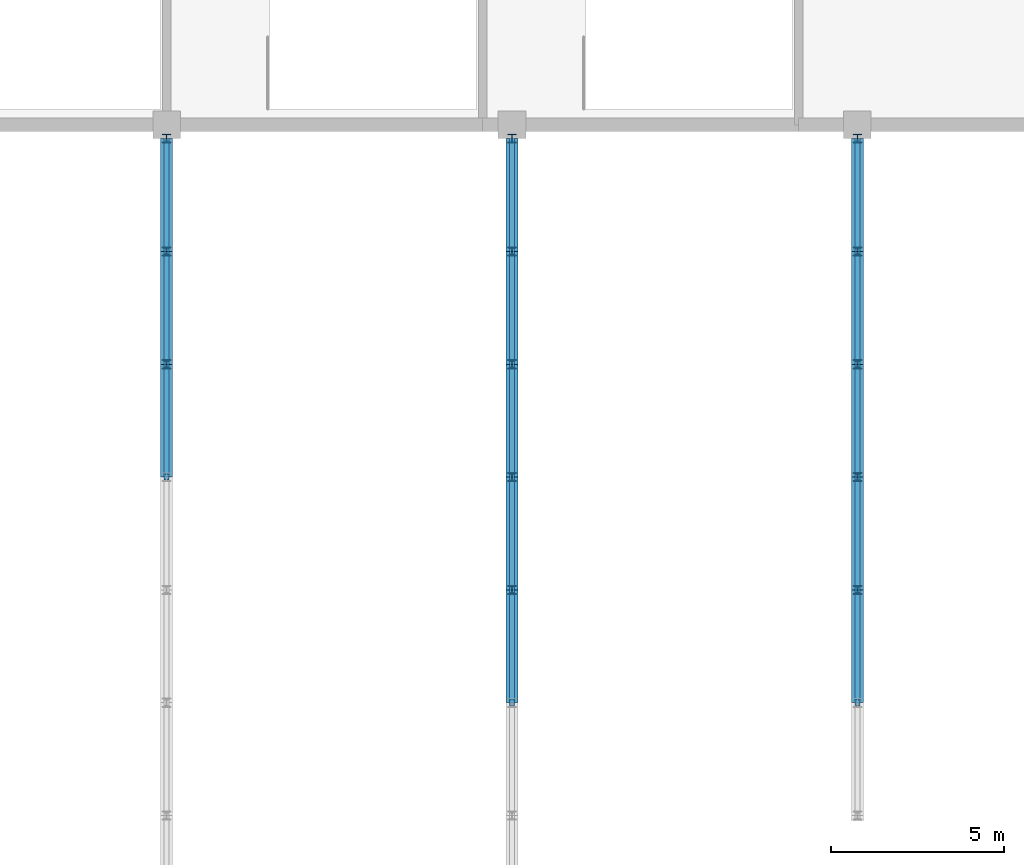
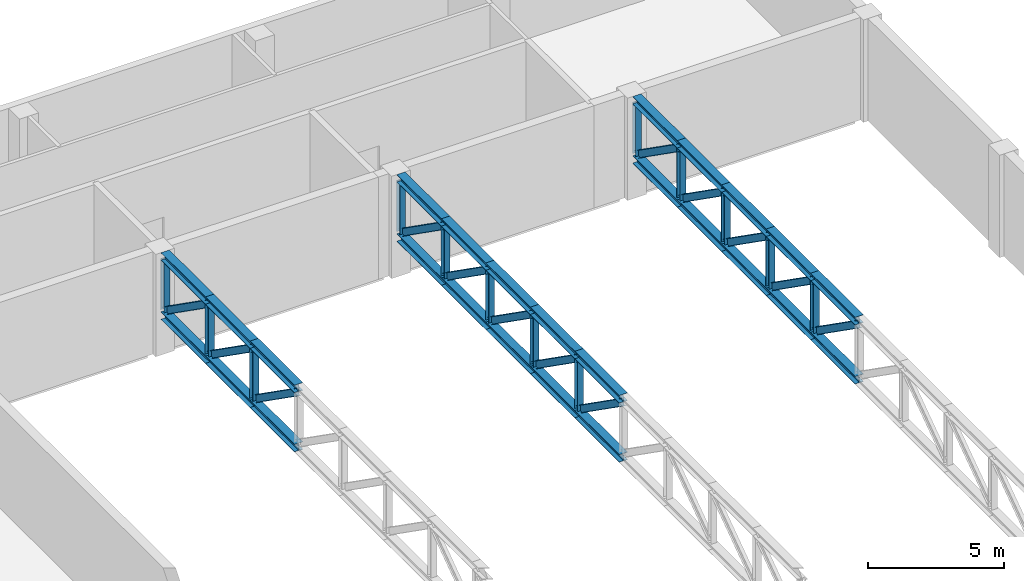
# One storey, part 6 of 36: 52 members.
"""IFC4 building model written with IfcOpenShell, lengths in metres."""

from ifc_helpers import new_model, si_unit, direction, frame, origin, origin_2d, place, context, subcontext, project, spatial, i_section, extrude, material, material_profile, profile_set, type_object, element, save


model = new_model("IFC4")

# Units and contexts
model_context = context("Model", 3, precision=1e-05, world=origin(), true_north=direction((0.0, 1.0)))
body_context = subcontext(model_context, "Body", "Model", "MODEL_VIEW")
ifc_project = project(units=[si_unit("LENGTHUNIT", "METRE"), si_unit("AREAUNIT", "SQUARE_METRE"), si_unit("VOLUMEUNIT", "CUBIC_METRE"), si_unit("PLANEANGLEUNIT", "RADIAN"), si_unit("MASSUNIT", "GRAM", prefix="KILO")], contexts=[model_context])

# Site, building, storey
site_placement = place(None, origin())
site = spatial("IfcSite", under=ifc_project, at=site_placement, CompositionType="ELEMENT")
building_placement = place(site_placement, origin())
building = spatial("IfcBuilding", under=site, at=building_placement, Name="Jabali Bay Hotel Tower and Convention Centre", CompositionType="ELEMENT")
storey_placement = place(building_placement, frame((0.0, 0.0, 20.39990234375)))
storey = spatial("IfcBuildingStorey", under=building, at=storey_placement, Name="L03", CompositionType="ELEMENT", Elevation=20.39990234375)

# Members
ifc_material = material(Name="Steel Q355B", Category="steel")
ifc_material_profile_1 = material_profile(ifc_material, i_section(OverallWidth=0.35009765625, OverallDepth=0.35009765625, WebThickness=0.011962890625, FlangeThickness=0.01904296875, at=origin_2d()), Name="HW350x350x12x19")
ifc_profile_set_1 = profile_set([ifc_material_profile_1], Name="Steel Q355B")
member_type_1 = type_object("IfcMemberType", Name="CC Roof Truss Chord HW350x350x12x19", PredefinedType="CHORD", material=ifc_profile_set_1)
for number, where, z_axis, x_axis, name in (
    (1, (190.699951171875, 89.800048828125, 4.4150390625), (0.0, 1.0, 0.0), (-1.0, 0.0, 0.0), "CC roof truss B1 top chord 10"),
    (2, (190.699951171875, 89.800048828125, 1.76513671875), (0.0, 1.0, 0.0), (-1.0, 0.0, 0.0), "CC roof truss B1 bottom chord 10"),
    (3, (190.699951171875, 93.066650390625, 4.4150390625), (0.0, 1.0, 0.0), (-1.0, 0.0, 0.0), "CC roof truss B1 top chord 11"),
    (4, (190.699951171875, 93.066650390625, 1.76513671875), (0.0, 1.0, 0.0), (-1.0, 0.0, 0.0), "CC roof truss B1 bottom chord 11"),
):
    element("IfcMember", number, at=place(storey_placement, frame(where, z_axis=z_axis, x_axis=x_axis)), inside=storey, type_object=member_type_1, Name=name, PredefinedType="CHORD", context=body_context, shape_type="SweptSolid", body=[
        extrude(i_section(OverallWidth=0.35009765625, OverallDepth=0.35009765625, WebThickness=0.011962890625, FlangeThickness=0.01904296875, at=origin_2d()), origin(), (0.0, 0.0, 1.0), 3.2666015625),
    ])
for number, where, z_axis, x_axis, name in (
    (5, (190.699951171875, 96.333251953125, 4.4150390625), (0.0, 1.0, 0.0), (-1.0, 0.0, 0.0), "CC roof truss B1 top chord 12"),
    (6, (190.699951171875, 96.333251953125, 1.76513671875), (0.0, 1.0, 0.0), (-1.0, 0.0, 0.0), "CC roof truss B1 bottom chord 12"),
    (7, (200.699951171875, 83.2666015625, 4.4150390625), (0.0, 1.0, 0.0), (-1.0, 0.0, 0.0), "CC roof truss B2 top chord 8"),
    (8, (200.699951171875, 83.2666015625, 1.76513671875), (0.0, 1.0, 0.0), (-1.0, 0.0, 0.0), "CC roof truss B2 bottom chord 8"),
):
    element("IfcMember", number, at=place(storey_placement, frame(where, z_axis=z_axis, x_axis=x_axis)), inside=storey, type_object=member_type_1, Name=name, PredefinedType="CHORD", context=body_context, shape_type="SweptSolid", body=[
        extrude(i_section(OverallWidth=0.35009765625, OverallDepth=0.35009765625, WebThickness=0.011962890625, FlangeThickness=0.01904296875, at=origin_2d()), origin(), (0.0, 0.0, 1.0), 3.266845703125),
    ])
for number, where, z_axis, x_axis, name in (
    (9, (200.699951171875, 86.533447265625, 4.4150390625), (0.0, 1.0, 0.0), (-1.0, 0.0, 0.0), "CC roof truss B2 top chord 9"),
    (10, (200.699951171875, 86.533447265625, 1.76513671875), (0.0, 1.0, 0.0), (-1.0, 0.0, 0.0), "CC roof truss B2 bottom chord 9"),
    (11, (200.699951171875, 89.800048828125, 4.4150390625), (0.0, 1.0, 0.0), (-1.0, 0.0, 0.0), "CC roof truss B2 top chord 10"),
    (12, (200.699951171875, 89.800048828125, 1.76513671875), (0.0, 1.0, 0.0), (-1.0, 0.0, 0.0), "CC roof truss B2 bottom chord 10"),
    (13, (200.699951171875, 93.066650390625, 4.4150390625), (0.0, 1.0, 0.0), (-1.0, 0.0, 0.0), "CC roof truss B2 top chord 11"),
    (14, (200.699951171875, 93.066650390625, 1.76513671875), (0.0, 1.0, 0.0), (-1.0, 0.0, 0.0), "CC roof truss B2 bottom chord 11"),
):
    element("IfcMember", number, at=place(storey_placement, frame(where, z_axis=z_axis, x_axis=x_axis)), inside=storey, type_object=member_type_1, Name=name, PredefinedType="CHORD", context=body_context, shape_type="SweptSolid", body=[
        extrude(i_section(OverallWidth=0.35009765625, OverallDepth=0.35009765625, WebThickness=0.011962890625, FlangeThickness=0.01904296875, at=origin_2d()), origin(), (0.0, 0.0, 1.0), 3.2666015625),
    ])
for number, where, z_axis, x_axis, name in (
    (15, (200.699951171875, 96.333251953125, 4.4150390625), (0.0, 1.0, 0.0), (-1.0, 0.0, 0.0), "CC roof truss B2 top chord 12"),
    (16, (200.699951171875, 96.333251953125, 1.76513671875), (0.0, 1.0, 0.0), (-1.0, 0.0, 0.0), "CC roof truss B2 bottom chord 12"),
    (17, (210.699951171875, 83.2666015625, 4.4150390625), (0.0, 1.0, 0.0), (-1.0, 0.0, 0.0), "CC roof truss B3 top chord 8"),
    (18, (210.699951171875, 83.2666015625, 1.76513671875), (0.0, 1.0, 0.0), (-1.0, 0.0, 0.0), "CC roof truss B3 bottom chord 8"),
):
    element("IfcMember", number, at=place(storey_placement, frame(where, z_axis=z_axis, x_axis=x_axis)), inside=storey, type_object=member_type_1, Name=name, PredefinedType="CHORD", context=body_context, shape_type="SweptSolid", body=[
        extrude(i_section(OverallWidth=0.35009765625, OverallDepth=0.35009765625, WebThickness=0.011962890625, FlangeThickness=0.01904296875, at=origin_2d()), origin(), (0.0, 0.0, 1.0), 3.266845703125),
    ])
for number, where, z_axis, x_axis, name in (
    (19, (210.699951171875, 86.533447265625, 4.4150390625), (0.0, 1.0, 0.0), (-1.0, 0.0, 0.0), "CC roof truss B3 top chord 9"),
    (20, (210.699951171875, 86.533447265625, 1.76513671875), (0.0, 1.0, 0.0), (-1.0, 0.0, 0.0), "CC roof truss B3 bottom chord 9"),
    (21, (210.699951171875, 89.800048828125, 4.4150390625), (0.0, 1.0, 0.0), (-1.0, 0.0, 0.0), "CC roof truss B3 top chord 10"),
    (22, (210.699951171875, 89.800048828125, 1.76513671875), (0.0, 1.0, 0.0), (-1.0, 0.0, 0.0), "CC roof truss B3 bottom chord 10"),
    (23, (210.699951171875, 93.066650390625, 4.4150390625), (0.0, 1.0, 0.0), (-1.0, 0.0, 0.0), "CC roof truss B3 top chord 11"),
    (24, (210.699951171875, 93.066650390625, 1.76513671875), (0.0, 1.0, 0.0), (-1.0, 0.0, 0.0), "CC roof truss B3 bottom chord 11"),
):
    element("IfcMember", number, at=place(storey_placement, frame(where, z_axis=z_axis, x_axis=x_axis)), inside=storey, type_object=member_type_1, Name=name, PredefinedType="CHORD", context=body_context, shape_type="SweptSolid", body=[
        extrude(i_section(OverallWidth=0.35009765625, OverallDepth=0.35009765625, WebThickness=0.011962890625, FlangeThickness=0.01904296875, at=origin_2d()), origin(), (0.0, 0.0, 1.0), 3.2666015625),
    ])
for number, where, z_axis, x_axis, name in (
    (25, (210.699951171875, 96.333251953125, 4.4150390625), (0.0, 1.0, 0.0), (-1.0, 0.0, 0.0), "CC roof truss B3 top chord 12"),
    (26, (210.699951171875, 96.333251953125, 1.76513671875), (0.0, 1.0, 0.0), (-1.0, 0.0, 0.0), "CC roof truss B3 bottom chord 12"),
):
    element("IfcMember", number, at=place(storey_placement, frame(where, z_axis=z_axis, x_axis=x_axis)), inside=storey, type_object=member_type_1, Name=name, PredefinedType="CHORD", context=body_context, shape_type="SweptSolid", body=[
        extrude(i_section(OverallWidth=0.35009765625, OverallDepth=0.35009765625, WebThickness=0.011962890625, FlangeThickness=0.01904296875, at=origin_2d()), origin(), (0.0, 0.0, 1.0), 3.266845703125),
    ])
ifc_material_profile_2 = material_profile(ifc_material, i_section(OverallWidth=0.14990234375, OverallDepth=0.300048828125, WebThickness=0.006591796875, FlangeThickness=0.009033203125, at=origin_2d()), Name="HN300x150x6.5x9")
ifc_profile_set_2 = profile_set([ifc_material_profile_2], Name="Steel Q355B")
member_type_2 = type_object("IfcMemberType", Name="CC Roof Truss Diagonal HN300x150x6.5x9", PredefinedType="BRACE", material=ifc_profile_set_2)
for number, where, z_axis, x_axis, name in (
    (27, (190.699951171875, 93.066650390625, 1.940185546875), (0.0, -0.817678568519, 0.575675045998), (1.0, 0.0, 0.0), "CC roof truss B1 diagonal 10"),
    (28, (190.699951171875, 96.333251953125, 1.940185546875), (0.0, -0.817678568519, 0.575675045998), (1.0, 0.0, 0.0), "CC roof truss B1 diagonal 11"),
):
    element("IfcMember", number, at=place(storey_placement, frame(where, z_axis=z_axis, x_axis=x_axis)), inside=storey, type_object=member_type_2, Name=name, PredefinedType="BRACE", context=body_context, shape_type="SweptSolid", body=[
        extrude(i_section(OverallWidth=0.14990234375, OverallDepth=0.300048828125, WebThickness=0.006591796875, FlangeThickness=0.009033203125, at=origin_2d()), origin(), (0.0, 0.0, 1.0), 3.994873046875),
    ])
for number, where, z_axis, x_axis, name in (
    (29, (190.699951171875, 99.60009765625, 1.940185546875), (0.0, -0.817698819626, 0.575646280612), (1.0, 0.0, 0.0), "CC roof truss B1 diagonal 12"),
    (30, (200.699951171875, 86.533447265625, 1.940185546875), (0.0, -0.817698819626, 0.575646280612), (1.0, 0.0, 0.0), "CC roof truss B2 diagonal 8"),
):
    element("IfcMember", number, at=place(storey_placement, frame(where, z_axis=z_axis, x_axis=x_axis)), inside=storey, type_object=member_type_2, Name=name, PredefinedType="BRACE", context=body_context, shape_type="SweptSolid", body=[
        extrude(i_section(OverallWidth=0.14990234375, OverallDepth=0.300048828125, WebThickness=0.006591796875, FlangeThickness=0.009033203125, at=origin_2d()), origin(), (0.0, 0.0, 1.0), 3.9951171875),
    ])
for number, where, z_axis, x_axis, name in (
    (31, (200.699951171875, 89.800048828125, 1.940185546875), (0.0, -0.817678568519, 0.575675045998), (1.0, 0.0, 0.0), "CC roof truss B2 diagonal 9"),
    (32, (200.699951171875, 93.066650390625, 1.940185546875), (0.0, -0.817678568519, 0.575675045998), (1.0, 0.0, 0.0), "CC roof truss B2 diagonal 10"),
    (33, (200.699951171875, 96.333251953125, 1.940185546875), (0.0, -0.817678568519, 0.575675045998), (1.0, 0.0, 0.0), "CC roof truss B2 diagonal 11"),
):
    element("IfcMember", number, at=place(storey_placement, frame(where, z_axis=z_axis, x_axis=x_axis)), inside=storey, type_object=member_type_2, Name=name, PredefinedType="BRACE", context=body_context, shape_type="SweptSolid", body=[
        extrude(i_section(OverallWidth=0.14990234375, OverallDepth=0.300048828125, WebThickness=0.006591796875, FlangeThickness=0.009033203125, at=origin_2d()), origin(), (0.0, 0.0, 1.0), 3.994873046875),
    ])
for number, where, z_axis, x_axis, name in (
    (34, (200.699951171875, 99.60009765625, 1.940185546875), (0.0, -0.817698819626, 0.575646280612), (1.0, 0.0, 0.0), "CC roof truss B2 diagonal 12"),
    (35, (210.699951171875, 86.533447265625, 1.940185546875), (0.0, -0.817698819626, 0.575646280612), (1.0, 0.0, 0.0), "CC roof truss B3 diagonal 8"),
):
    element("IfcMember", number, at=place(storey_placement, frame(where, z_axis=z_axis, x_axis=x_axis)), inside=storey, type_object=member_type_2, Name=name, PredefinedType="BRACE", context=body_context, shape_type="SweptSolid", body=[
        extrude(i_section(OverallWidth=0.14990234375, OverallDepth=0.300048828125, WebThickness=0.006591796875, FlangeThickness=0.009033203125, at=origin_2d()), origin(), (0.0, 0.0, 1.0), 3.9951171875),
    ])
for number, where, z_axis, x_axis, name in (
    (36, (210.699951171875, 89.800048828125, 1.940185546875), (0.0, -0.817678568519, 0.575675045998), (1.0, 0.0, 0.0), "CC roof truss B3 diagonal 9"),
    (37, (210.699951171875, 93.066650390625, 1.940185546875), (0.0, -0.817678568519, 0.575675045998), (1.0, 0.0, 0.0), "CC roof truss B3 diagonal 10"),
    (38, (210.699951171875, 96.333251953125, 1.940185546875), (0.0, -0.817678568519, 0.575675045998), (1.0, 0.0, 0.0), "CC roof truss B3 diagonal 11"),
):
    element("IfcMember", number, at=place(storey_placement, frame(where, z_axis=z_axis, x_axis=x_axis)), inside=storey, type_object=member_type_2, Name=name, PredefinedType="BRACE", context=body_context, shape_type="SweptSolid", body=[
        extrude(i_section(OverallWidth=0.14990234375, OverallDepth=0.300048828125, WebThickness=0.006591796875, FlangeThickness=0.009033203125, at=origin_2d()), origin(), (0.0, 0.0, 1.0), 3.994873046875),
    ])
member_placement = place(storey_placement, frame((210.699951171875, 99.60009765625, 1.940185546875), z_axis=(0.0, -0.817698819626, 0.575646280612), x_axis=(1.0, 0.0, 0.0)))
element("IfcMember", 39, at=member_placement, inside=storey, type_object=member_type_2, Name="CC roof truss B3 diagonal 12", PredefinedType="BRACE", context=body_context, shape_type="SweptSolid", body=[
    extrude(i_section(OverallWidth=0.14990234375, OverallDepth=0.300048828125, WebThickness=0.006591796875, FlangeThickness=0.009033203125, at=origin_2d()), origin(), (0.0, 0.0, 1.0), 3.9951171875),
])
ifc_material_profile_3 = material_profile(ifc_material, i_section(OverallWidth=0.25, OverallDepth=0.25, WebThickness=0.009033203125, FlangeThickness=0.013916015625, at=origin_2d()), Name="HW250x250x9x14")
ifc_profile_set_3 = profile_set([ifc_material_profile_3], Name="Steel Q355B")
member_type_3 = type_object("IfcMemberType", Name="CC Roof Truss Post HW250x250x9x14", PredefinedType="POST", material=ifc_profile_set_3)
for number, where, z_axis, x_axis, name in (
    (40, (190.699951171875, 93.066650390625, 1.940185546875), (0.0, 0.0, 1.0), (1.0, 0.0, 0.0), "CC roof truss B1 post 11"),
    (41, (190.699951171875, 96.333251953125, 1.940185546875), (0.0, 0.0, 1.0), (1.0, 0.0, 0.0), "CC roof truss B1 post 12"),
    (42, (190.699951171875, 99.60009765625, 1.940185546875), (0.0, 0.0, 1.0), (1.0, 0.0, 0.0), "CC roof truss B1 post 13"),
    (43, (200.699951171875, 86.533447265625, 1.940185546875), (0.0, 0.0, 1.0), (1.0, 0.0, 0.0), "CC roof truss B2 post 9"),
    (44, (200.699951171875, 89.800048828125, 1.940185546875), (0.0, 0.0, 1.0), (1.0, 0.0, 0.0), "CC roof truss B2 post 10"),
    (45, (200.699951171875, 93.066650390625, 1.940185546875), (0.0, 0.0, 1.0), (1.0, 0.0, 0.0), "CC roof truss B2 post 11"),
    (46, (200.699951171875, 96.333251953125, 1.940185546875), (0.0, 0.0, 1.0), (1.0, 0.0, 0.0), "CC roof truss B2 post 12"),
    (47, (200.699951171875, 99.60009765625, 1.940185546875), (0.0, 0.0, 1.0), (1.0, 0.0, 0.0), "CC roof truss B2 post 13"),
    (48, (210.699951171875, 86.533447265625, 1.940185546875), (0.0, 0.0, 1.0), (1.0, 0.0, 0.0), "CC roof truss B3 post 9"),
    (49, (210.699951171875, 89.800048828125, 1.940185546875), (0.0, 0.0, 1.0), (1.0, 0.0, 0.0), "CC roof truss B3 post 10"),
    (50, (210.699951171875, 93.066650390625, 1.940185546875), (0.0, 0.0, 1.0), (1.0, 0.0, 0.0), "CC roof truss B3 post 11"),
    (51, (210.699951171875, 96.333251953125, 1.940185546875), (0.0, 0.0, 1.0), (1.0, 0.0, 0.0), "CC roof truss B3 post 12"),
    (52, (210.699951171875, 99.60009765625, 1.940185546875), (0.0, 0.0, 1.0), (1.0, 0.0, 0.0), "CC roof truss B3 post 13"),
):
    element("IfcMember", number, at=place(storey_placement, frame(where, z_axis=z_axis, x_axis=x_axis)), inside=storey, type_object=member_type_3, Name=name, PredefinedType="POST", context=body_context, shape_type="SweptSolid", body=[
        extrude(i_section(OverallWidth=0.25, OverallDepth=0.25, WebThickness=0.009033203125, FlangeThickness=0.013916015625, at=origin_2d()), origin(), (0.0, 0.0, 1.0), 2.2998046875),
    ])

save(model, "model.ifc")
